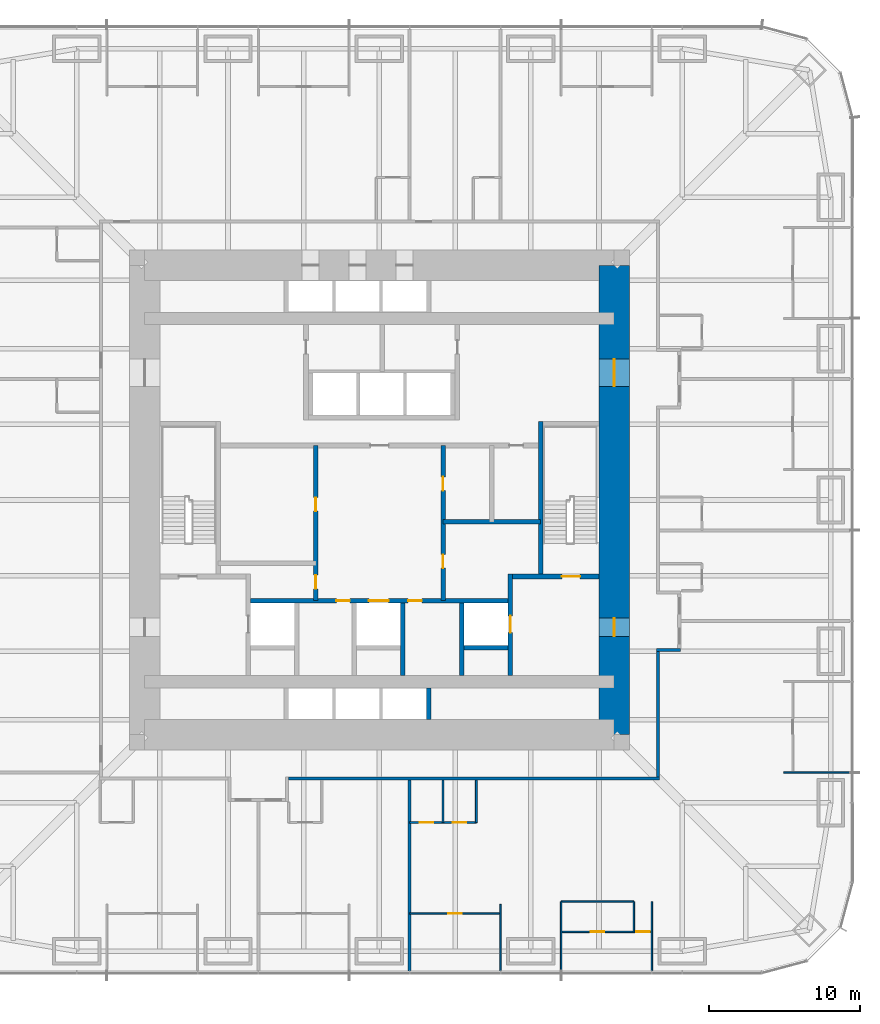
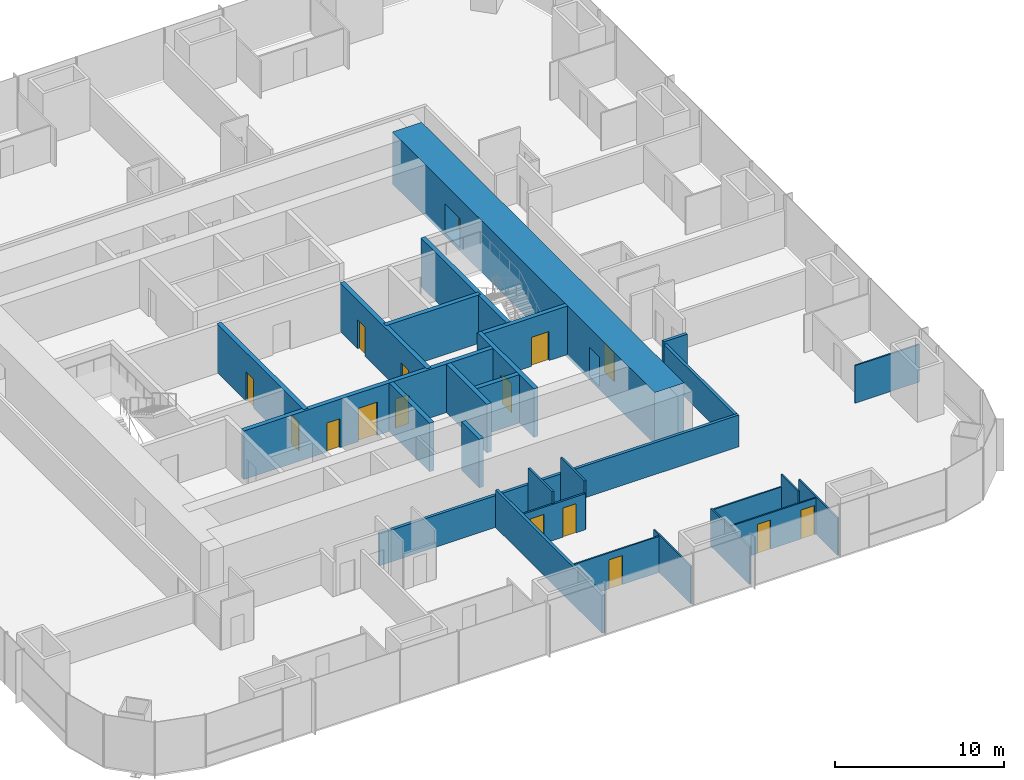
# One storey, part 13 of 17: 27 walls, 16 doors, 16 openings.
"""IFC4 building model written with IfcOpenShell, lengths in metres."""

from ifc_helpers import new_model, si_unit, direction, frame, frame_2d, origin, place, context, subcontext, project, spatial, rectangle, extrude, material, layer, layer_set, type_object, element, fill, save


model = new_model("IFC4")

# Units and contexts
model_context = context("Model", 3, precision=1e-05, world=origin(), true_north=direction((0.0, 1.0)))
body_context = subcontext(model_context, "Body", "Model", "MODEL_VIEW")
ifc_project = project(units=[si_unit("LENGTHUNIT", "METRE"), si_unit("AREAUNIT", "SQUARE_METRE"), si_unit("VOLUMEUNIT", "CUBIC_METRE"), si_unit("PLANEANGLEUNIT", "RADIAN"), si_unit("MASSUNIT", "GRAM", prefix="KILO")], contexts=[model_context])

# Site, building, storey
site_placement = place(None, origin())
site = spatial("IfcSite", under=ifc_project, at=site_placement, CompositionType="ELEMENT")
building_placement = place(site_placement, origin())
building = spatial("IfcBuilding", under=site, at=building_placement, Name="Khuree Lantern Residences", CompositionType="ELEMENT")
storey_placement = place(building_placement, frame((0.0, 0.0, 77.25)))
storey = spatial("IfcBuildingStorey", under=building, at=storey_placement, Name="L19", CompositionType="ELEMENT", Elevation=77.25)

# Wall, openings, doors
ifc_material_1 = material(Name="Moisture-resistant gypsum board on steel studs", Category="steel")
ifc_layer_1 = layer(ifc_material_1, 0.125)
ifc_layer_set_1 = layer_set([ifc_layer_1], Name="BATHROOM WALL BTW125")
wall_type_1 = type_object("IfcWallType", Name="BATHROOM WALL BTW125", PredefinedType="PARTITIONING", material=ifc_layer_set_1)
wall_1_placement = place(storey_placement, frame((2.0, -21.300048828125, 0.0), z_axis=(0.0, 0.0, 1.0), x_axis=(1.0, 0.0, 0.0)))
wall_1 = element("IfcWall", 1, at=wall_1_placement, inside=storey, type_object=wall_type_1, Name="L19 BATHROOM WALL 10", PredefinedType="PARTITIONING", context=body_context, shape_type="SweptSolid", body=[
    extrude(rectangle(XDim=4.39990234375, YDim=0.125, at=frame_2d((2.199951171875, 0.0))), origin(), (0.0, 0.0, 1.0), 2.610107421875),
])
opening_1_placement = place(wall_1_placement, frame((0.64990234375, 0.0, 0.0)))
opening_1 = element("IfcOpeningElement", 2, at=opening_1_placement, cuts=wall_1, Name="Opening 19-055", PredefinedType="OPENING", context=body_context, shape_type="SweptSolid", body=[
    extrude(rectangle(XDim=0.89990234375, YDim=2.10009765625, at=frame_2d((0.449951171875, 1.050048828125))), frame((0.0, 0.072509765625, 0.0), z_axis=(0.0, -1.0, 0.0), x_axis=(1.0, 0.0, 0.0)), (0.0, 0.0, 1.0), 0.14501953125),
])
opening_2_placement = place(wall_1_placement, frame((2.85009765625, 0.0, 0.0)))
opening_2 = element("IfcOpeningElement", 3, at=opening_2_placement, cuts=wall_1, Name="Opening 19-056", PredefinedType="OPENING", context=body_context, shape_type="SweptSolid", body=[
    extrude(rectangle(XDim=0.89990234375, YDim=2.10009765625, at=frame_2d((0.449951171875, 1.050048828125))), frame((0.0, 0.072509765625, 0.0), z_axis=(0.0, -1.0, 0.0), x_axis=(1.0, 0.0, 0.0)), (0.0, 0.0, 1.0), 0.14501953125),
])
ifc_material_2 = material(Name="Timber door leaf in hardwood frame", Category="wood")
door_type_1 = type_object("IfcDoorType", Name="BATHROOM DOOR 900X2100", OperationType="SINGLE_SWING_LEFT", PredefinedType="DOOR", material=ifc_material_2)
door_1_placement = place(opening_1_placement, origin())
door_1 = element("IfcDoor", 4, at=door_1_placement, inside=storey, type_object=door_type_1, Name="Bathroom door 19-055", OperationType="SINGLE_SWING_LEFT", OverallHeight=2.10009765625, OverallWidth=0.89990234375, PredefinedType="DOOR", context=body_context, shape_type="SweptSolid", body=[
    extrude(rectangle(XDim=0.89990234375, YDim=2.10009765625, at=frame_2d((0.449951171875, 1.050048828125))), frame((0.0, 0.02490234375, 0.0), z_axis=(0.0, -1.0, 0.0), x_axis=(1.0, 0.0, 0.0)), (0.0, 0.0, 1.0), 0.050048828125),
])
fill(opening_1, door_1)
door_2_placement = place(opening_2_placement, origin())
door_2 = element("IfcDoor", 5, at=door_2_placement, inside=storey, type_object=door_type_1, Name="Bathroom door 19-056", OperationType="SINGLE_SWING_LEFT", OverallHeight=2.10009765625, OverallWidth=0.89990234375, PredefinedType="DOOR", context=body_context, shape_type="SweptSolid", body=[
    extrude(rectangle(XDim=0.89990234375, YDim=2.10009765625, at=frame_2d((0.449951171875, 1.050048828125))), frame((0.0, 0.02490234375, 0.0), z_axis=(0.0, -1.0, 0.0), x_axis=(1.0, 0.0, 0.0)), (0.0, 0.0, 1.0), 0.050048828125),
])
fill(opening_2, door_2)

# Walls
for number, where, z_axis, x_axis, name in (
    (6, (4.199951171875, -18.5, 0.0), (0.0, 0.0, 1.0), (0.0, -1.0, 0.0), "L19 BATHROOM WALL 10"),
    (7, (6.39990234375, -18.5, 0.0), (0.0, 0.0, 1.0), (0.0, -1.0, 0.0), "L19 BATHROOM WALL 10"),
):
    element("IfcWall", number, at=place(storey_placement, frame(where, z_axis=z_axis, x_axis=x_axis)), inside=storey, type_object=wall_type_1, Name=name, PredefinedType="PARTITIONING", context=body_context, shape_type="SweptSolid", body=[
        extrude(rectangle(XDim=2.800048828125, YDim=0.125, at=frame_2d((1.39990234375, 0.0))), origin(), (0.0, 0.0, 1.0), 3.5),
    ])

# Wall, opening, door
ifc_material_3 = material(Name="Dense concrete blockwork", Category="masonry")
ifc_layer_2 = layer(ifc_material_3, 0.300048828125)
ifc_layer_set_2 = layer_set([ifc_layer_2], Name="CORE PARTITION WALL CPW300 EI 120")
wall_type_2 = type_object("IfcWallType", Name="CORE PARTITION WALL CPW300 EI 120", PredefinedType="PARTITIONING", material=ifc_layer_set_2)
wall_2_placement = place(storey_placement, frame((8.64990234375, -11.60009765625, 0.0), z_axis=(0.0, 0.0, 1.0), x_axis=(0.0, 1.0, 0.0)))
wall_2 = element("IfcWall", 8, at=wall_2_placement, inside=storey, type_object=wall_type_2, Name="L19 CORE WALL FL2E", PredefinedType="PARTITIONING", context=body_context, shape_type="SweptSolid", body=[
    extrude(rectangle(XDim=6.7001953125, YDim=0.300048828125, at=frame_2d((3.35009765625, 0.0))), origin(), (0.0, 0.0, 1.0), 3.5),
])
opening_3_placement = place(wall_2_placement, frame((2.85009765625, 0.0, 0.0)))
opening_3 = element("IfcOpeningElement", 9, at=opening_3_placement, cuts=wall_2, Name="Opening 19-008", PredefinedType="OPENING", context=body_context, shape_type="SweptSolid", body=[
    extrude(rectangle(XDim=1.10009765625, YDim=2.10009765625, at=frame_2d((0.550048828125, 1.050048828125))), frame((0.0, 0.16015625, 0.0), z_axis=(0.0, -1.0, 0.0), x_axis=(1.0, 0.0, 0.0)), (0.0, 0.0, 1.0), 0.320068359375),
])
ifc_material_4 = material(Name="Stainless steel lift landing door", Category="steel")
door_type_2 = type_object("IfcDoorType", Name="LIFT LANDING DOOR 1100X2100 E 120", OperationType="DOUBLE_DOOR_SLIDING", PredefinedType="DOOR", material=ifc_material_4)
door_3_placement = place(opening_3_placement, origin())
door_3 = element("IfcDoor", 10, at=door_3_placement, inside=storey, type_object=door_type_2, Name="Landing door FL2 19-008", OperationType="DOUBLE_DOOR_SLIDING", OverallHeight=2.10009765625, OverallWidth=1.10009765625, PredefinedType="DOOR", context=body_context, shape_type="SweptSolid", body=[
    extrude(rectangle(XDim=1.10009765625, YDim=2.10009765625, at=frame_2d((0.550048828125, 1.050048828125))), frame((0.0, 0.02490234375, 0.0), z_axis=(0.0, -1.0, 0.0), x_axis=(1.0, 0.0, 0.0)), (0.0, 0.0, 1.0), 0.050048828125),
])
fill(opening_3, door_3)

# Wall, openings, doors
wall_3_placement = place(storey_placement, frame((-8.5, -6.64990234375, 0.0), z_axis=(0.0, 0.0, 1.0), x_axis=(1.0, 0.0, 0.0)))
wall_3 = element("IfcWall", 11, at=wall_3_placement, inside=storey, type_object=wall_type_2, Name="L19 CORE WALL FLROW", PredefinedType="PARTITIONING", context=body_context, shape_type="SweptSolid", body=[
    extrude(rectangle(XDim=17.0, YDim=0.300048828125, at=frame_2d((8.5, 0.0))), origin(), (0.0, 0.0, 1.0), 3.5),
])
opening_4_placement = place(wall_3_placement, frame((7.800048828125, 0.0, 0.0)))
opening_4 = element("IfcOpeningElement", 12, at=opening_4_placement, cuts=wall_3, Name="Opening 19-012", PredefinedType="OPENING", context=body_context, shape_type="SweptSolid", body=[
    extrude(rectangle(XDim=1.300048828125, YDim=2.39990234375, at=frame_2d((0.64990234375, 1.199951171875))), frame((0.0, 0.16015625, 0.0), z_axis=(0.0, -1.0, 0.0), x_axis=(1.0, 0.0, 0.0)), (0.0, 0.0, 1.0), 0.320068359375),
])
opening_5_placement = place(wall_3_placement, frame((5.64990234375, 0.0, 0.0)))
opening_5 = element("IfcOpeningElement", 13, at=opening_5_placement, cuts=wall_3, Name="Opening 19-014", PredefinedType="OPENING", context=body_context, shape_type="SweptSolid", body=[
    extrude(rectangle(XDim=0.89990234375, YDim=2.10009765625, at=frame_2d((0.449951171875, 1.050048828125))), frame((0.0, 0.16015625, 0.0), z_axis=(0.0, -1.0, 0.0), x_axis=(1.0, 0.0, 0.0)), (0.0, 0.0, 1.0), 0.320068359375),
])
opening_6_placement = place(wall_3_placement, frame((10.39990234375, 0.0, 0.0)))
opening_6 = element("IfcOpeningElement", 14, at=opening_6_placement, cuts=wall_3, Name="Opening 19-015", PredefinedType="OPENING", context=body_context, shape_type="SweptSolid", body=[
    extrude(rectangle(XDim=0.89990234375, YDim=2.10009765625, at=frame_2d((0.449951171875, 1.050048828125))), frame((0.0, 0.16015625, 0.0), z_axis=(0.0, -1.0, 0.0), x_axis=(1.0, 0.0, 0.0)), (0.0, 0.0, 1.0), 0.320068359375),
])
ifc_material_5 = material(Name="Steel door leaf in steel frame", Category="steel")
door_type_3 = type_object("IfcDoorType", Name="DOOR 900X2100 EI 60", OperationType="SINGLE_SWING_LEFT", PredefinedType="DOOR", material=ifc_material_5)
door_4_placement = place(opening_5_placement, origin())
door_4 = element("IfcDoor", 15, at=door_4_placement, inside=storey, type_object=door_type_3, Name="Refuse chute room door 19-014", OperationType="SINGLE_SWING_LEFT", OverallHeight=2.10009765625, OverallWidth=0.89990234375, PredefinedType="DOOR", context=body_context, shape_type="SweptSolid", body=[
    extrude(rectangle(XDim=0.89990234375, YDim=2.10009765625, at=frame_2d((0.449951171875, 1.050048828125))), frame((0.0, 0.02490234375, 0.0), z_axis=(0.0, -1.0, 0.0), x_axis=(1.0, 0.0, 0.0)), (0.0, 0.0, 1.0), 0.050048828125),
])
fill(opening_5, door_4)
door_type_4 = type_object("IfcDoorType", Name="DOOR 900X2100 EI 60 RIGHT HAND", OperationType="SINGLE_SWING_RIGHT", PredefinedType="DOOR", material=ifc_material_5)
door_5_placement = place(opening_6_placement, origin())
door_5 = element("IfcDoor", 16, at=door_5_placement, inside=storey, type_object=door_type_4, Name="Electrical and plumbing riser door 19-015", OperationType="SINGLE_SWING_RIGHT", OverallHeight=2.10009765625, OverallWidth=0.89990234375, PredefinedType="DOOR", context=body_context, shape_type="SweptSolid", body=[
    extrude(rectangle(XDim=0.89990234375, YDim=2.10009765625, at=frame_2d((0.449951171875, 1.050048828125))), frame((0.0, 0.02490234375, 0.0), z_axis=(0.0, -1.0, 0.0), x_axis=(1.0, 0.0, 0.0)), (0.0, 0.0, 1.0), 0.050048828125),
])
fill(opening_6, door_5)
door_type_5 = type_object("IfcDoorType", Name="LIFT LANDING DOOR 1300X2400 E 60", OperationType="DOUBLE_DOOR_SLIDING", PredefinedType="DOOR", material=ifc_material_4)
door_6_placement = place(opening_4_placement, origin())
door_6 = element("IfcDoor", 17, at=door_6_placement, inside=storey, type_object=door_type_5, Name="Landing door SL1 19-012", OperationType="DOUBLE_DOOR_SLIDING", OverallHeight=2.39990234375, OverallWidth=1.300048828125, PredefinedType="DOOR", context=body_context, shape_type="SweptSolid", body=[
    extrude(rectangle(XDim=1.300048828125, YDim=2.39990234375, at=frame_2d((0.64990234375, 1.199951171875))), frame((0.0, 0.02490234375, 0.0), z_axis=(0.0, -1.0, 0.0), x_axis=(1.0, 0.0, 0.0)), (0.0, 0.0, 1.0), 0.050048828125),
])
fill(opening_4, door_6)

# Walls
for number, where, z_axis, x_axis, name in (
    (18, (1.550048828125, -11.60009765625, 0.0), (0.0, 0.0, 1.0), (0.0, 1.0, 0.0), "L19 CORE WALL SL1E"),
    (19, (5.449951171875, -11.60009765625, 0.0), (0.0, 0.0, 1.0), (0.0, 1.0, 0.0), "L19 CORE WALL FL2W"),
):
    element("IfcWall", number, at=place(storey_placement, frame(where, z_axis=z_axis, x_axis=x_axis)), inside=storey, type_object=wall_type_2, Name=name, PredefinedType="PARTITIONING", context=body_context, shape_type="SweptSolid", body=[
        extrude(rectangle(XDim=4.800048828125, YDim=0.300048828125, at=frame_2d((2.39990234375, 0.0))), origin(), (0.0, 0.0, 1.0), 3.5),
    ])
wall_4_placement = place(storey_placement, frame((5.60009765625, -9.75, 0.0), z_axis=(0.0, 0.0, 1.0), x_axis=(1.0, 0.0, 0.0)))
element("IfcWall", 20, at=wall_4_placement, inside=storey, type_object=wall_type_2, Name="L19 CORE WALL FL2S", PredefinedType="PARTITIONING", context=body_context, shape_type="SweptSolid", body=[
    extrude(rectangle(XDim=2.89990234375, YDim=0.300048828125, at=frame_2d((1.449951171875, 0.0))), origin(), (0.0, 0.0, 1.0), 3.5),
])
wall_5_placement = place(storey_placement, frame((3.25, -14.5, 0.0), z_axis=(0.0, 0.0, 1.0), x_axis=(0.0, 1.0, 0.0)))
element("IfcWall", 21, at=wall_5_placement, inside=storey, type_object=wall_type_2, Name="L19 CORE WALL PME", PredefinedType="PARTITIONING", context=body_context, shape_type="SweptSolid", body=[
    extrude(rectangle(XDim=2.10009765625, YDim=0.300048828125, at=frame_2d((1.050048828125, 0.0))), origin(), (0.0, 0.0, 1.0), 3.5),
])

# Wall, openings, doors
wall_6_placement = place(storey_placement, frame((-4.199951171875, -6.64990234375, 0.0), z_axis=(0.0, 0.0, 1.0), x_axis=(0.0, 1.0, 0.0)))
wall_6 = element("IfcWall", 22, at=wall_6_placement, inside=storey, type_object=wall_type_2, Name="L19 CORE WALL SVW", PredefinedType="PARTITIONING", context=body_context, shape_type="SweptSolid", body=[
    extrude(rectangle(XDim=10.25, YDim=0.300048828125, at=frame_2d((5.125, 0.0))), origin(), (0.0, 0.0, 1.0), 3.5),
])
opening_7_placement = place(wall_6_placement, frame((0.787109375, 0.0, 0.0)))
opening_7 = element("IfcOpeningElement", 23, at=opening_7_placement, cuts=wall_6, Name="Opening 19-016", PredefinedType="OPENING", context=body_context, shape_type="SweptSolid", body=[
    extrude(rectangle(XDim=0.89990234375, YDim=2.10009765625, at=frame_2d((0.449951171875, 1.050048828125))), frame((0.0, 0.16015625, 0.0), z_axis=(0.0, -1.0, 0.0), x_axis=(1.0, 0.0, 0.0)), (0.0, 0.0, 1.0), 0.320068359375),
])
opening_8_placement = place(wall_6_placement, frame((5.912109375, 0.0, 0.0)))
opening_8 = element("IfcOpeningElement", 24, at=opening_8_placement, cuts=wall_6, Name="Opening 19-017", PredefinedType="OPENING", context=body_context, shape_type="SweptSolid", body=[
    extrude(rectangle(XDim=0.89990234375, YDim=2.10009765625, at=frame_2d((0.449951171875, 1.050048828125))), frame((0.0, 0.16015625, 0.0), z_axis=(0.0, -1.0, 0.0), x_axis=(1.0, 0.0, 0.0)), (0.0, 0.0, 1.0), 0.320068359375),
])
door_type_6 = type_object("IfcDoorType", Name="DOOR 900X2100", OperationType="SINGLE_SWING_LEFT", PredefinedType="DOOR", material=ifc_material_2)
door_7_placement = place(opening_7_placement, origin())
door_7 = element("IfcDoor", 25, at=door_7_placement, inside=storey, type_object=door_type_6, Name="Housekeeping store door 19-016", OperationType="SINGLE_SWING_LEFT", OverallHeight=2.10009765625, OverallWidth=0.89990234375, PredefinedType="DOOR", context=body_context, shape_type="SweptSolid", body=[
    extrude(rectangle(XDim=0.89990234375, YDim=2.10009765625, at=frame_2d((0.449951171875, 1.050048828125))), frame((0.0, 0.02490234375, 0.0), z_axis=(0.0, -1.0, 0.0), x_axis=(1.0, 0.0, 0.0)), (0.0, 0.0, 1.0), 0.050048828125),
])
fill(opening_7, door_7)
door_8_placement = place(opening_8_placement, origin())
door_8 = element("IfcDoor", 26, at=door_8_placement, inside=storey, type_object=door_type_6, Name="Residents' store door 19-017", OperationType="SINGLE_SWING_LEFT", OverallHeight=2.10009765625, OverallWidth=0.89990234375, PredefinedType="DOOR", context=body_context, shape_type="SweptSolid", body=[
    extrude(rectangle(XDim=0.89990234375, YDim=2.10009765625, at=frame_2d((0.449951171875, 1.050048828125))), frame((0.0, 0.02490234375, 0.0), z_axis=(0.0, -1.0, 0.0), x_axis=(1.0, 0.0, 0.0)), (0.0, 0.0, 1.0), 0.050048828125),
])
fill(opening_8, door_8)

wall_7_placement = place(storey_placement, frame((4.199951171875, -6.64990234375, 0.0), z_axis=(0.0, 0.0, 1.0), x_axis=(0.0, 1.0, 0.0)))
wall_7 = element("IfcWall", 27, at=wall_7_placement, inside=storey, type_object=wall_type_2, Name="L19 CORE WALL SVE", PredefinedType="PARTITIONING", context=body_context, shape_type="SweptSolid", body=[
    extrude(rectangle(XDim=10.25, YDim=0.300048828125, at=frame_2d((5.125, 0.0))), origin(), (0.0, 0.0, 1.0), 3.5),
])
opening_9_placement = place(wall_7_placement, frame((2.14990234375, 0.0, 0.0)))
opening_9 = element("IfcOpeningElement", 28, at=opening_9_placement, cuts=wall_7, Name="Opening 19-018", PredefinedType="OPENING", context=body_context, shape_type="SweptSolid", body=[
    extrude(rectangle(XDim=0.89990234375, YDim=2.10009765625, at=frame_2d((0.449951171875, 1.050048828125))), frame((0.0, 0.16015625, 0.0), z_axis=(0.0, -1.0, 0.0), x_axis=(1.0, 0.0, 0.0)), (0.0, 0.0, 1.0), 0.320068359375),
])
opening_10_placement = place(wall_7_placement, frame((7.27490234375, 0.0, 0.0)))
opening_10 = element("IfcOpeningElement", 29, at=opening_10_placement, cuts=wall_7, Name="Opening 19-019", PredefinedType="OPENING", context=body_context, shape_type="SweptSolid", body=[
    extrude(rectangle(XDim=0.89990234375, YDim=2.10009765625, at=frame_2d((0.449951171875, 1.050048828125))), frame((0.0, 0.16015625, 0.0), z_axis=(0.0, -1.0, 0.0), x_axis=(1.0, 0.0, 0.0)), (0.0, 0.0, 1.0), 0.320068359375),
])
door_9_placement = place(opening_9_placement, origin())
door_9 = element("IfcDoor", 30, at=door_9_placement, inside=storey, type_object=door_type_6, Name="Residents' store door 19-018", OperationType="SINGLE_SWING_LEFT", OverallHeight=2.10009765625, OverallWidth=0.89990234375, PredefinedType="DOOR", context=body_context, shape_type="SweptSolid", body=[
    extrude(rectangle(XDim=0.89990234375, YDim=2.10009765625, at=frame_2d((0.449951171875, 1.050048828125))), frame((0.0, 0.02490234375, 0.0), z_axis=(0.0, -1.0, 0.0), x_axis=(1.0, 0.0, 0.0)), (0.0, 0.0, 1.0), 0.050048828125),
])
fill(opening_9, door_9)
door_type_7 = type_object("IfcDoorType", Name="DOOR 900X2100 RIGHT HAND", OperationType="SINGLE_SWING_RIGHT", PredefinedType="DOOR", material=ifc_material_2)
door_10_placement = place(opening_10_placement, origin())
door_10 = element("IfcDoor", 31, at=door_10_placement, inside=storey, type_object=door_type_7, Name="Building management room door 19-019", OperationType="SINGLE_SWING_RIGHT", OverallHeight=2.10009765625, OverallWidth=0.89990234375, PredefinedType="DOOR", context=body_context, shape_type="SweptSolid", body=[
    extrude(rectangle(XDim=0.89990234375, YDim=2.10009765625, at=frame_2d((0.449951171875, 1.050048828125))), frame((0.0, 0.02490234375, 0.0), z_axis=(0.0, -1.0, 0.0), x_axis=(1.0, 0.0, 0.0)), (0.0, 0.0, 1.0), 0.050048828125),
])
fill(opening_10, door_10)

# Walls
wall_8_placement = place(storey_placement, frame((10.64990234375, -1.449951171875, 0.0), z_axis=(0.0, 0.0, 1.0), x_axis=(-1.0, 0.0, 0.0)))
element("IfcWall", 32, at=wall_8_placement, inside=storey, type_object=wall_type_2, Name="L19 CORE WALL EX", PredefinedType="PARTITIONING", context=body_context, shape_type="SweptSolid", body=[
    extrude(rectangle(XDim=6.449951171875, YDim=0.300048828125, at=frame_2d((3.22509765625, 0.0))), origin(), (0.0, 0.0, 1.0), 3.5),
])
ifc_material_6 = material(Name="Gypsum board on steel studs", Category="steel")
ifc_layer_3 = layer(ifc_material_6, 0.199951171875)
ifc_layer_set_3 = layer_set([ifc_layer_3], Name="CORRIDOR WALL CRW200 EI 60")
wall_type_3 = type_object("IfcWallType", Name="CORRIDOR WALL CRW200 EI 60", PredefinedType="PARTITIONING", material=ifc_layer_set_3)
wall_9_placement = place(storey_placement, frame((18.39990234375, -18.300048828125, 0.0), z_axis=(0.0, 0.0, 1.0), x_axis=(0.0, 1.0, 0.0)))
element("IfcWall", 33, at=wall_9_placement, inside=storey, type_object=wall_type_3, Name="L19 CORRIDOR WALL EAST 1", PredefinedType="PARTITIONING", context=body_context, shape_type="SweptSolid", body=[
    extrude(rectangle(XDim=8.300048828125, YDim=0.199951171875, at=frame_2d((4.14990234375, 0.0))), origin(), (0.0, 0.0, 1.0), 2.300048828125),
])
wall_10_placement = place(storey_placement, frame((18.300048828125, -9.89990234375, 0.0), z_axis=(0.0, 0.0, 1.0), x_axis=(1.0, 0.0, 0.0)))
element("IfcWall", 34, at=wall_10_placement, inside=storey, type_object=wall_type_3, Name="L19 CORRIDOR ALCOVE WALL EAST", PredefinedType="PARTITIONING", context=body_context, shape_type="SweptSolid", body=[
    extrude(rectangle(XDim=1.599853515625, YDim=0.199951171875, at=frame_2d((0.7998046875, 0.0))), origin(), (0.0, 0.0, 1.0), 2.491943359375),
])
wall_11_placement = place(storey_placement, frame((18.5, -18.39990234375, 0.0), z_axis=(0.0, 0.0, 1.0), x_axis=(-1.0, 0.0, 0.0)))
element("IfcWall", 35, at=wall_11_placement, inside=storey, type_object=wall_type_3, Name="L19 CORRIDOR WALL SOUTH 1", PredefinedType="PARTITIONING", context=body_context, shape_type="SweptSolid", body=[
    extrude(rectangle(XDim=24.5, YDim=0.199951171875, at=frame_2d((12.25, 0.0))), origin(), (0.0, 0.0, 1.0), 2.300048828125),
])

# Wall, openings, doors
ifc_material_7 = material(Name="Concrete C70/85", Category="concrete")
ifc_layer_4 = layer(ifc_material_7, 2.0)
ifc_layer_set_4 = layer_set([ifc_layer_4], Name="CW2000-C70 CORE WALL C70 2000")
wall_type_4 = type_object("IfcWallType", Name="CW2000-C70 CORE WALL C70 2000", PredefinedType="SHEAR", material=ifc_layer_set_4)
wall_12_placement = place(storey_placement, frame((15.5, -15.5, -0.25), z_axis=(0.0, 0.0, 1.0), x_axis=(0.0, 1.0, 0.0)))
wall_12 = element("IfcWall", 36, at=wall_12_placement, inside=storey, type_object=wall_type_4, Name="Core wall E", PredefinedType="SHEAR", context=body_context, shape_type="SweptSolid", body=[
    extrude(rectangle(XDim=31.0, YDim=2.0, at=frame_2d((15.5, 0.0))), origin(), (0.0, 0.0, 1.0), 3.75),
])
opening_11_placement = place(wall_12_placement, frame((6.5, 0.0, 0.25)))
opening_11 = element("IfcOpeningElement", 37, at=opening_11_placement, cuts=wall_12, Name="Opening 19-005", PredefinedType="OPENING", context=body_context, shape_type="SweptSolid", body=[
    extrude(rectangle(XDim=1.199951171875, YDim=2.10009765625, at=frame_2d((0.60009765625, 1.050048828125))), frame((0.0, 1.010009765625, 0.0), z_axis=(0.0, -1.0, 0.0), x_axis=(1.0, 0.0, 0.0)), (0.0, 0.0, 1.0), 2.02001953125),
])
opening_12_placement = place(wall_12_placement, frame((23.0, 0.0, 0.25)))
opening_12 = element("IfcOpeningElement", 38, at=opening_12_placement, cuts=wall_12, Name="Opening 19-006", PredefinedType="OPENING", context=body_context, shape_type="SweptSolid", body=[
    extrude(rectangle(XDim=1.800048828125, YDim=2.10009765625, at=frame_2d((0.89990234375, 1.050048828125))), frame((0.0, 1.010009765625, 0.0), z_axis=(0.0, -1.0, 0.0), x_axis=(1.0, 0.0, 0.0)), (0.0, 0.0, 1.0), 2.02001953125),
])
door_type_8 = type_object("IfcDoorType", Name="LOBBY DOOR 1200X2100 EI 120", OperationType="SINGLE_SWING_LEFT", PredefinedType="DOOR", material=ifc_material_5)
door_11_placement = place(opening_11_placement, origin())
door_11 = element("IfcDoor", 39, at=door_11_placement, inside=storey, type_object=door_type_8, Name="Firefighting lobby door 19-005", OperationType="SINGLE_SWING_LEFT", OverallHeight=2.10009765625, OverallWidth=1.199951171875, PredefinedType="DOOR", context=body_context, shape_type="SweptSolid", body=[
    extrude(rectangle(XDim=1.199951171875, YDim=2.10009765625, at=frame_2d((0.60009765625, 1.050048828125))), frame((0.0, 0.02490234375, 0.0), z_axis=(0.0, -1.0, 0.0), x_axis=(1.0, 0.0, 0.0)), (0.0, 0.0, 1.0), 0.050048828125),
])
fill(opening_11, door_11)
door_type_9 = type_object("IfcDoorType", Name="LOBBY DOUBLE DOOR 1800X2100 EI 60", OperationType="DOUBLE_DOOR_SINGLE_SWING", PredefinedType="DOOR", material=ifc_material_5)
door_12_placement = place(opening_12_placement, origin())
door_12 = element("IfcDoor", 40, at=door_12_placement, inside=storey, type_object=door_type_9, Name="Lift lobby door 19-006", OperationType="DOUBLE_DOOR_SINGLE_SWING", OverallHeight=2.10009765625, OverallWidth=1.800048828125, PredefinedType="DOOR", context=body_context, shape_type="SweptSolid", body=[
    extrude(rectangle(XDim=1.800048828125, YDim=2.10009765625, at=frame_2d((0.89990234375, 1.050048828125))), frame((0.0, 0.02490234375, 0.0), z_axis=(0.0, -1.0, 0.0), x_axis=(1.0, 0.0, 0.0)), (0.0, 0.0, 1.0), 0.050048828125),
])
fill(opening_12, door_12)

# Walls
ifc_layer_5 = layer(ifc_material_6, 0.199951171875)
ifc_layer_set_5 = layer_set([ifc_layer_5], Name="DEMISING WALL DMW200 EI 90")
wall_type_5 = type_object("IfcWallType", Name="DEMISING WALL DMW200 EI 90", PredefinedType="PARTITIONING", material=ifc_layer_set_5)
wall_13_placement = place(storey_placement, frame((2.0, -18.5, 0.0), z_axis=(0.0, 0.0, 1.0), x_axis=(0.0, -1.0, 0.0)))
element("IfcWall", 41, at=wall_13_placement, inside=storey, type_object=wall_type_5, Name="L19 DEMISING WALL 10", PredefinedType="PARTITIONING", context=body_context, shape_type="SweptSolid", body=[
    extrude(rectangle(XDim=12.60009765625, YDim=0.199951171875, at=frame_2d((6.300048828125, 0.0))), origin(), (0.0, 0.0, 1.0), 2.7099609375),
])
ifc_layer_6 = layer(ifc_material_6, 0.10009765625)
ifc_layer_set_6 = layer_set([ifc_layer_6], Name="PARTITION PT100")
wall_type_6 = type_object("IfcWallType", Name="PARTITION PT100", PredefinedType="PARTITIONING", material=ifc_layer_set_6)
wall_14_placement = place(storey_placement, frame((8.0, -26.699951171875, 0.0), z_axis=(0.0, 0.0, 1.0), x_axis=(0.0, -1.0, 0.0)))
element("IfcWall", 42, at=wall_14_placement, inside=storey, type_object=wall_type_6, Name="L19 PARTITION 10", PredefinedType="PARTITIONING", context=body_context, shape_type="SweptSolid", body=[
    extrude(rectangle(XDim=4.400146484375, YDim=0.10009765625, at=frame_2d((2.2001953125, 0.0))), origin(), (0.0, 0.0, 1.0), 2.7099609375),
])
for number, where, z_axis, x_axis, name in (
    (43, (12.0, -26.5166015625, 0.0), (0.0, 0.0, 1.0), (0.0, -1.0, 0.0), "L19 PARTITION 10"),
    (44, (18.0, -26.5166015625, 0.0), (0.0, 0.0, 1.0), (0.0, -1.0, 0.0), "L19 PARTITION 10"),
):
    element("IfcWall", number, at=place(storey_placement, frame(where, z_axis=z_axis, x_axis=x_axis)), inside=storey, type_object=wall_type_6, Name=name, PredefinedType="PARTITIONING", context=body_context, shape_type="SweptSolid", body=[
        extrude(rectangle(XDim=4.58349609375, YDim=0.10009765625, at=frame_2d((2.291748046875, 0.0))), origin(), (0.0, 0.0, 1.0), 2.7099609375),
    ])
wall_15_placement = place(storey_placement, frame((26.699951171875, -18.0, 0.0), z_axis=(0.0, 0.0, 1.0), x_axis=(1.0, 0.0, 0.0)))
element("IfcWall", 45, at=wall_15_placement, inside=storey, type_object=wall_type_6, Name="L19 PARTITION 10", PredefinedType="PARTITIONING", context=body_context, shape_type="SweptSolid", body=[
    extrude(rectangle(XDim=4.400146484375, YDim=0.10009765625, at=frame_2d((2.2001953125, 0.0))), origin(), (0.0, 0.0, 1.0), 2.7099609375),
])

# Wall, opening, door
wall_16_placement = place(storey_placement, frame((2.0, -27.300048828125, 0.0), z_axis=(0.0, 0.0, 1.0), x_axis=(1.0, 0.0, 0.0)))
wall_16 = element("IfcWall", 46, at=wall_16_placement, inside=storey, type_object=wall_type_6, Name="L19 PARTITION 10", PredefinedType="PARTITIONING", context=body_context, shape_type="SweptSolid", body=[
    extrude(rectangle(XDim=6.0, YDim=0.10009765625, at=frame_2d((3.0, 0.0))), origin(), (0.0, 0.0, 1.0), 2.610107421875),
])
opening_13_placement = place(wall_16_placement, frame((2.550048828125, 0.0, 0.0)))
opening_13 = element("IfcOpeningElement", 47, at=opening_13_placement, cuts=wall_16, Name="Opening 19-051", PredefinedType="OPENING", context=body_context, shape_type="SweptSolid", body=[
    extrude(rectangle(XDim=0.89990234375, YDim=2.10009765625, at=frame_2d((0.449951171875, 1.050048828125))), frame((0.0, 0.06005859375, 0.0), z_axis=(0.0, -1.0, 0.0), x_axis=(1.0, 0.0, 0.0)), (0.0, 0.0, 1.0), 0.1201171875),
])
door_type_10 = type_object("IfcDoorType", Name="BEDROOM DOOR 900X2100", OperationType="SINGLE_SWING_LEFT", PredefinedType="DOOR", material=ifc_material_2)
door_13_placement = place(opening_13_placement, origin())
door_13 = element("IfcDoor", 48, at=door_13_placement, inside=storey, type_object=door_type_10, Name="Bedroom door 19-051", OperationType="SINGLE_SWING_LEFT", OverallHeight=2.10009765625, OverallWidth=0.89990234375, PredefinedType="DOOR", context=body_context, shape_type="SweptSolid", body=[
    extrude(rectangle(XDim=0.89990234375, YDim=2.10009765625, at=frame_2d((0.449951171875, 1.050048828125))), frame((0.0, 0.02490234375, 0.0), z_axis=(0.0, -1.0, 0.0), x_axis=(1.0, 0.0, 0.0)), (0.0, 0.0, 1.0), 0.050048828125),
])
fill(opening_13, door_13)

# Wall, openings, doors
wall_17_placement = place(storey_placement, frame((12.0, -28.5166015625, 0.0), z_axis=(0.0, 0.0, 1.0), x_axis=(1.0, 0.0, 0.0)))
wall_17 = element("IfcWall", 49, at=wall_17_placement, inside=storey, type_object=wall_type_6, Name="L19 PARTITION 10", PredefinedType="PARTITIONING", context=body_context, shape_type="SweptSolid", body=[
    extrude(rectangle(XDim=6.0, YDim=0.10009765625, at=frame_2d((3.0, 0.0))), origin(), (0.0, 0.0, 1.0), 2.610107421875),
])
opening_14_placement = place(wall_17_placement, frame((4.949951171875, 0.0, 0.0)))
opening_14 = element("IfcOpeningElement", 50, at=opening_14_placement, cuts=wall_17, Name="Opening 19-052", PredefinedType="OPENING", context=body_context, shape_type="SweptSolid", body=[
    extrude(rectangle(XDim=0.89990234375, YDim=2.10009765625, at=frame_2d((0.449951171875, 1.050048828125))), frame((0.0, 0.06005859375, 0.0), z_axis=(0.0, -1.0, 0.0), x_axis=(1.0, 0.0, 0.0)), (0.0, 0.0, 1.0), 0.1201171875),
])
opening_15_placement = place(wall_17_placement, frame((1.949951171875, 0.0, 0.0)))
opening_15 = element("IfcOpeningElement", 51, at=opening_15_placement, cuts=wall_17, Name="Opening 19-053", PredefinedType="OPENING", context=body_context, shape_type="SweptSolid", body=[
    extrude(rectangle(XDim=0.89990234375, YDim=2.10009765625, at=frame_2d((0.449951171875, 1.050048828125))), frame((0.0, 0.06005859375, 0.0), z_axis=(0.0, -1.0, 0.0), x_axis=(1.0, 0.0, 0.0)), (0.0, 0.0, 1.0), 0.1201171875),
])
door_14_placement = place(opening_14_placement, origin())
door_14 = element("IfcDoor", 52, at=door_14_placement, inside=storey, type_object=door_type_10, Name="Bedroom door 19-052", OperationType="SINGLE_SWING_LEFT", OverallHeight=2.10009765625, OverallWidth=0.89990234375, PredefinedType="DOOR", context=body_context, shape_type="SweptSolid", body=[
    extrude(rectangle(XDim=0.89990234375, YDim=2.10009765625, at=frame_2d((0.449951171875, 1.050048828125))), frame((0.0, 0.02490234375, 0.0), z_axis=(0.0, -1.0, 0.0), x_axis=(1.0, 0.0, 0.0)), (0.0, 0.0, 1.0), 0.050048828125),
])
fill(opening_14, door_14)
door_15_placement = place(opening_15_placement, origin())
door_15 = element("IfcDoor", 53, at=door_15_placement, inside=storey, type_object=door_type_6, Name="Wardrobe door 19-053", OperationType="SINGLE_SWING_LEFT", OverallHeight=2.10009765625, OverallWidth=0.89990234375, PredefinedType="DOOR", context=body_context, shape_type="SweptSolid", body=[
    extrude(rectangle(XDim=0.89990234375, YDim=2.10009765625, at=frame_2d((0.449951171875, 1.050048828125))), frame((0.0, 0.02490234375, 0.0), z_axis=(0.0, -1.0, 0.0), x_axis=(1.0, 0.0, 0.0)), (0.0, 0.0, 1.0), 0.050048828125),
])
fill(opening_15, door_15)

# Walls
wall_18_placement = place(storey_placement, frame((16.800048828125, -26.5166015625, 0.0), z_axis=(0.0, 0.0, 1.0), x_axis=(0.0, -1.0, 0.0)))
element("IfcWall", 54, at=wall_18_placement, inside=storey, type_object=wall_type_6, Name="L19 PARTITION 10", PredefinedType="PARTITIONING", context=body_context, shape_type="SweptSolid", body=[
    extrude(rectangle(XDim=2.0, YDim=0.10009765625, at=frame_2d((1.0, 0.0))), origin(), (0.0, 0.0, 1.0), 3.5),
])
wall_19_placement = place(storey_placement, frame((12.0, -26.5166015625, 0.0), z_axis=(0.0, 0.0, 1.0), x_axis=(1.0, 0.0, 0.0)))
element("IfcWall", 55, at=wall_19_placement, inside=storey, type_object=wall_type_6, Name="L19 PARTITION 10", PredefinedType="PARTITIONING", context=body_context, shape_type="SweptSolid", body=[
    extrude(rectangle(XDim=4.800048828125, YDim=0.10009765625, at=frame_2d((2.39990234375, 0.0))), origin(), (0.0, 0.0, 1.0), 2.610107421875),
])
ifc_material_8 = material(Name="Concrete C50/60", Category="concrete")
ifc_layer_7 = layer(ifc_material_8, 0.300048828125)
ifc_layer_set_7 = layer_set([ifc_layer_7], Name="STAIR WALL SRW300 C50/60 REI 240")
wall_type_7 = type_object("IfcWallType", Name="STAIR WALL SRW300 C50/60 REI 240", PredefinedType="SOLIDWALL", material=ifc_layer_set_7)
wall_20_placement = place(storey_placement, frame((10.64990234375, -4.89990234375, 0.0), z_axis=(0.0, 0.0, 1.0), x_axis=(0.0, 1.0, 0.0)))
element("IfcWall", 56, at=wall_20_placement, inside=storey, type_object=wall_type_7, Name="L19 STAIR WALL ST2E", PredefinedType="SOLIDWALL", context=body_context, shape_type="SweptSolid", body=[
    extrude(rectangle(XDim=10.099853515625, YDim=0.300048828125, at=frame_2d((5.0498046875, 0.0))), origin(), (0.0, 0.0, 1.0), 3.5),
])

# Wall, opening, door
wall_21_placement = place(storey_placement, frame((14.5, -5.050048828125, 0.0), z_axis=(0.0, 0.0, 1.0), x_axis=(-1.0, 0.0, 0.0)))
wall_21 = element("IfcWall", 57, at=wall_21_placement, inside=storey, type_object=wall_type_7, Name="L19 STAIR WALL ST2S", PredefinedType="SOLIDWALL", context=body_context, shape_type="SweptSolid", body=[
    extrude(rectangle(XDim=5.699951171875, YDim=0.300048828125, at=frame_2d((2.85009765625, 0.0))), origin(), (0.0, 0.0, 1.0), 3.5),
])
opening_16_placement = place(wall_21_placement, frame((1.25, 0.0, 0.0)))
opening_16 = element("IfcOpeningElement", 58, at=opening_16_placement, cuts=wall_21, Name="Opening 19-004", PredefinedType="OPENING", context=body_context, shape_type="SweptSolid", body=[
    extrude(rectangle(XDim=1.199951171875, YDim=2.10009765625, at=frame_2d((0.60009765625, 1.050048828125))), frame((0.0, 0.16015625, 0.0), z_axis=(0.0, -1.0, 0.0), x_axis=(1.0, 0.0, 0.0)), (0.0, 0.0, 1.0), 0.320068359375),
])
door_type_11 = type_object("IfcDoorType", Name="STAIR DOOR 1200X2100 EI 120", OperationType="SINGLE_SWING_LEFT", PredefinedType="DOOR", material=ifc_material_5)
door_16_placement = place(opening_16_placement, origin())
door_16 = element("IfcDoor", 59, at=door_16_placement, inside=storey, type_object=door_type_11, Name="Stair ST2 door 19-004", OperationType="SINGLE_SWING_LEFT", OverallHeight=2.10009765625, OverallWidth=1.199951171875, PredefinedType="DOOR", context=body_context, shape_type="SweptSolid", body=[
    extrude(rectangle(XDim=1.199951171875, YDim=2.10009765625, at=frame_2d((0.60009765625, 1.050048828125))), frame((0.0, 0.02490234375, 0.0), z_axis=(0.0, -1.0, 0.0), x_axis=(1.0, 0.0, 0.0)), (0.0, 0.0, 1.0), 0.050048828125),
])
fill(opening_16, door_16)

save(model, "model.ifc")
